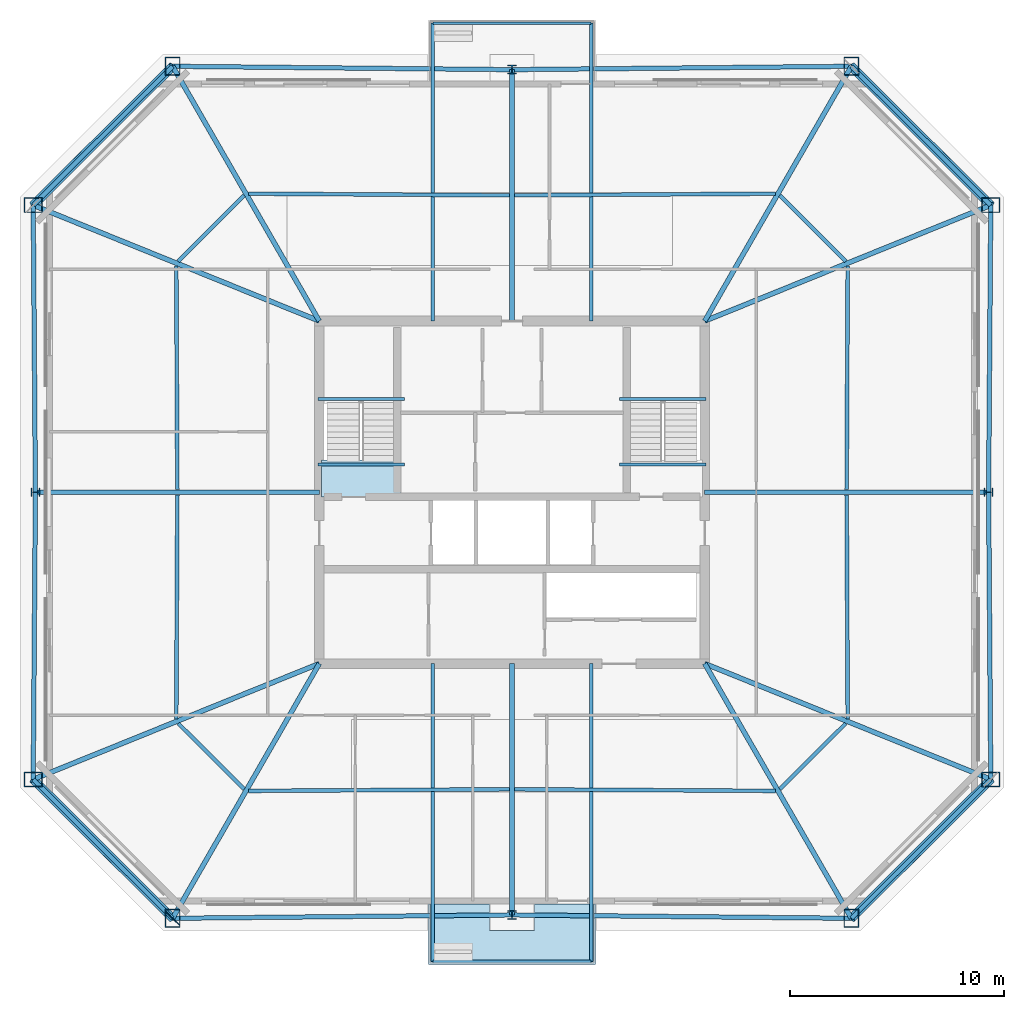
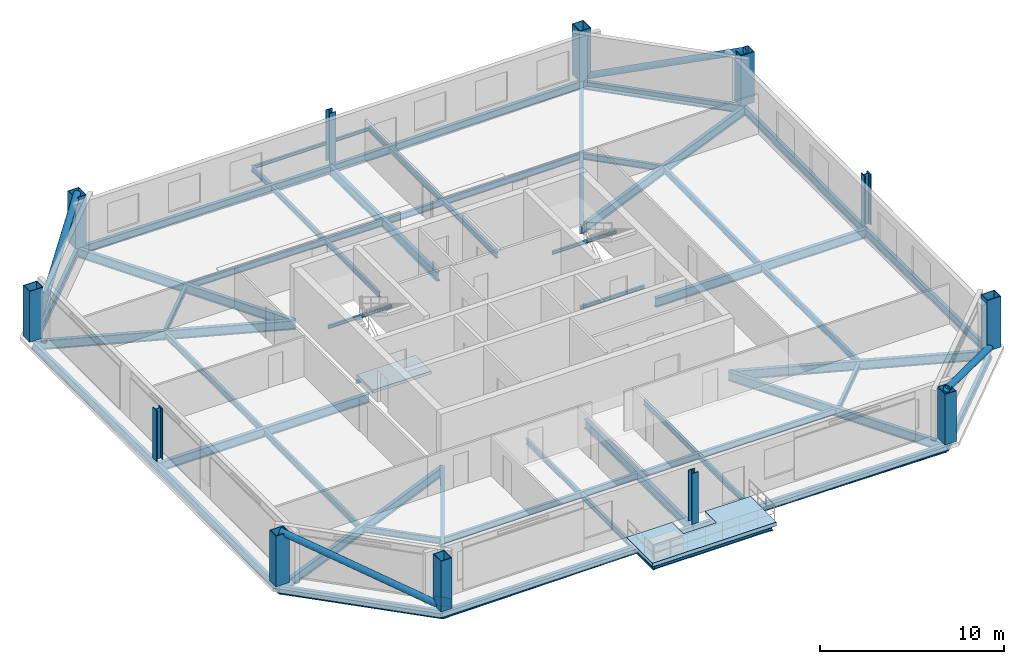
# One storey, part 1 of 7: 46 beams, 12 columns, 4 members, 2 slabs, 1 plate, 1 element without a shape of its own.
"""IFC4 building model written with IfcOpenShell, lengths in metres."""

from ifc_helpers import new_model, si_unit, direction, frame, origin, origin_2d, place, context, subcontext, project, spatial, polyline, rectangle, hollow_rectangle, hollow_circle, i_section, outline, extrude, material, layer, layer_set, material_profile, profile_set, type_object, element, aggregate, save


model = new_model("IFC4")

# Units and contexts
model_context = context("Model", 3, precision=1e-05, world=origin(), true_north=direction((0.0, 1.0)))
body_context = subcontext(model_context, "Body", "Model", "MODEL_VIEW")
ifc_project = project(units=[si_unit("LENGTHUNIT", "METRE"), si_unit("AREAUNIT", "SQUARE_METRE"), si_unit("VOLUMEUNIT", "CUBIC_METRE"), si_unit("PLANEANGLEUNIT", "RADIAN"), si_unit("MASSUNIT", "GRAM", prefix="KILO")], contexts=[model_context])

# Site, building, storey
site_placement = place(None, origin())
site = spatial("IfcSite", under=ifc_project, at=site_placement, CompositionType="ELEMENT")
building_placement = place(site_placement, origin())
building = spatial("IfcBuilding", under=site, at=building_placement, Name="Caelvoria Tower", CompositionType="ELEMENT")
storey_placement = place(building_placement, frame((0.0, 0.0, 187.800048828125)))
storey = spatial("IfcBuildingStorey", under=building, at=storey_placement, Name="L49", CompositionType="ELEMENT", Elevation=187.800048828125)

# Columns
ifc_material_1 = material(Name="Structural Steel ASTM A572 Gr.50", Category="steel")
ifc_material_profile_1 = material_profile(ifc_material_1, hollow_rectangle(XDim=0.699951171875, YDim=0.85009765625, WallThickness=0.0400390625, at=origin_2d()), Name="Structural Steel ASTM A572 Gr.50")
ifc_profile_set_1 = profile_set([ifc_material_profile_1], Name="BOX850X700X40 - Structural Steel ASTM A572 Gr.50")
column_type_1 = type_object("IfcColumnType", Name="Mega Box Column 850x700x40", PredefinedType="COLUMN", material=ifc_profile_set_1)
for number, where, z_axis, x_axis, name in (
    (1, (30.148681640625, 12.10302734375, 0.0), (0.0, 0.0, 1.0), (1.0, 0.0, 0.0), "Perimeter Megaframe Column L49-P00"),
    (2, (61.851318359375, 12.10302734375, 0.0), (0.0, 0.0, 1.0), (1.0, 0.0, 0.0), "Perimeter Megaframe Column L49-P02"),
    (3, (68.362548828125, 18.59033203125, 0.0), (0.0, 0.0, 1.0), (0.0, 1.0, 0.0), "Perimeter Megaframe Column L49-P03"),
    (4, (68.362548828125, 45.40966796875, 0.0), (0.0, 0.0, 1.0), (0.0, 1.0, 0.0), "Perimeter Megaframe Column L49-P05"),
    (5, (61.851318359375, 51.89697265625, 0.0), (0.0, 0.0, 1.0), (1.0, 0.0, 0.0), "Perimeter Megaframe Column L49-P06"),
    (6, (30.148681640625, 51.89697265625, 0.0), (0.0, 0.0, 1.0), (1.0, 0.0, 0.0), "Perimeter Megaframe Column L49-P08"),
    (7, (23.637451171875, 45.40966796875, 0.0), (0.0, 0.0, 1.0), (0.0, 1.0, 0.0), "Perimeter Megaframe Column L49-P09"),
    (8, (23.637451171875, 18.59033203125, 0.0), (0.0, 0.0, 1.0), (0.0, 1.0, 0.0), "Perimeter Megaframe Column L49-P11"),
):
    element("IfcColumn", number, at=place(storey_placement, frame(where, z_axis=z_axis, x_axis=x_axis)), inside=storey, type_object=column_type_1, Name=name, PredefinedType="COLUMN", context=body_context, shape_type="SweptSolid", body=[
        extrude(hollow_rectangle(XDim=0.699951171875, YDim=0.85009765625, WallThickness=0.0400390625, at=origin_2d()), origin(), (0.0, 0.0, 1.0), 3.373046875),
    ])
ifc_material_2 = material(Name="Structural Steel ASTM A992 Gr.50", Category="steel")
ifc_material_profile_2 = material_profile(ifc_material_2, i_section(OverallWidth=0.406005859375, OverallDepth=0.425048828125, WebThickness=0.03271484375, FlangeThickness=0.052490234375, FilletRadius=0.02490234375, at=origin_2d()), Name="Structural Steel ASTM A992 Gr.50")
ifc_profile_set_2 = profile_set([ifc_material_profile_2], Name="W360X421 - Structural Steel ASTM A992 Gr.50")
column_type_2 = type_object("IfcColumnType", Name="Mid Frame Column W360X421", PredefinedType="COLUMN", material=ifc_profile_set_2)
for number, where, z_axis, x_axis, name in (
    (9, (46.0, 12.260009765625, 0.0), (0.0, 0.0, 1.0), (1.0, 0.0, 0.0), "Perimeter Megaframe Column L49-P01"),
    (10, (68.260009765625, 32.0, 0.0), (0.0, 0.0, 1.0), (0.0, 1.0, 0.0), "Perimeter Megaframe Column L49-P04"),
    (11, (46.0, 51.739990234375, 0.0), (0.0, 0.0, 1.0), (1.0, 0.0, 0.0), "Perimeter Megaframe Column L49-P07"),
    (12, (23.739990234375, 32.0, 0.0), (0.0, 0.0, 1.0), (0.0, 1.0, 0.0), "Perimeter Megaframe Column L49-P10"),
):
    element("IfcColumn", number, at=place(storey_placement, frame(where, z_axis=z_axis, x_axis=x_axis)), inside=storey, type_object=column_type_2, Name=name, PredefinedType="COLUMN", context=body_context, shape_type="SweptSolid", body=[
        extrude(i_section(OverallWidth=0.406005859375, OverallDepth=0.425048828125, WebThickness=0.03271484375, FlangeThickness=0.052490234375, FilletRadius=0.02490234375, at=origin_2d()), origin(), (0.0, 0.0, 1.0), 3.373046875),
    ])

# Beams
ifc_material_profile_3 = material_profile(ifc_material_2, i_section(OverallWidth=0.134033203125, OverallDepth=0.2099609375, WebThickness=0.00634765625, FlangeThickness=0.01025390625, FilletRadius=0.010009765625, at=origin_2d()), Name="Structural Steel ASTM A992 Gr.50")
ifc_profile_set_3 = profile_set([ifc_material_profile_3], Name="W200X31.3 - Structural Steel ASTM A992 Gr.50")
beam_type_1 = type_object("IfcBeamType", Name="Canopy Edge Trim Beam W200X31.3", PredefinedType="BEAM", material=ifc_profile_set_3)
for number, where, z_axis, x_axis, name in (
    (13, (42.300048828125, 10.090087890625, -0.428955078125), (1.0, 0.0, 0.0), (0.0, 1.0, 0.0), "Tree Balcony Edge Beam TB-L49-S"),
    (14, (42.300048828125, 53.909912109375, -0.428955078125), (1.0, 0.0, 0.0), (0.0, 1.0, 0.0), "Tree Balcony Edge Beam TB-L49-N"),
):
    element("IfcBeam", number, at=place(storey_placement, frame(where, z_axis=z_axis, x_axis=x_axis)), inside=storey, type_object=beam_type_1, Name=name, PredefinedType="BEAM", context=body_context, shape_type="SweptSolid", body=[
        extrude(i_section(OverallWidth=0.134033203125, OverallDepth=0.2099609375, WebThickness=0.00634765625, FlangeThickness=0.01025390625, FilletRadius=0.010009765625, at=origin_2d()), origin(), (0.0, 0.0, 1.0), 7.39990234375),
    ])
for number, where, z_axis, x_axis, name in (
    (15, (36.929931640625, 36.35009765625, 1.494873046875), (1.0, 0.0, 0.0), (0.0, 1.0, 0.0), "ST-01 Half-Landing Support Beam L49"),
    (16, (36.929931640625, 33.300048828125, -0.304931640625), (1.0, 0.0, 0.0), (0.0, 1.0, 0.0), "ST-01 Floor-Landing Support Beam L49"),
    (17, (51.030029296875, 36.35009765625, 1.494873046875), (1.0, 0.0, 0.0), (0.0, 1.0, 0.0), "ST-02 Half-Landing Support Beam L49"),
    (18, (51.030029296875, 33.300048828125, -0.304931640625), (1.0, 0.0, 0.0), (0.0, 1.0, 0.0), "ST-02 Floor-Landing Support Beam L49"),
):
    element("IfcBeam", number, at=place(storey_placement, frame(where, z_axis=z_axis, x_axis=x_axis)), inside=storey, type_object=beam_type_1, Name=name, PredefinedType="BEAM", context=body_context, shape_type="SweptSolid", body=[
        extrude(i_section(OverallWidth=0.134033203125, OverallDepth=0.2099609375, WebThickness=0.00634765625, FlangeThickness=0.01025390625, FilletRadius=0.010009765625, at=origin_2d()), origin(), (0.0, 0.0, 1.0), 4.0400390625),
    ])
ifc_material_profile_4 = material_profile(ifc_material_2, i_section(OverallWidth=0.22802734375, OverallDepth=0.60302734375, WebThickness=0.010498046875, FlangeThickness=0.014892578125, FilletRadius=0.01806640625, at=origin_2d()), Name="Structural Steel ASTM A992 Gr.50")
ifc_profile_set_4 = profile_set([ifc_material_profile_4], Name="W610X101 - Structural Steel ASTM A992 Gr.50")
beam_type_2 = type_object("IfcBeamType", Name="Primary Floor Girder W610X101", PredefinedType="BEAM", material=ifc_profile_set_4)
beam_1_placement = place(storey_placement, frame((37.0, 24.0, -0.54150390625), z_axis=(-0.499049029046, -0.866573751396, 0.0), x_axis=(0.866573751396, -0.499049029046, 0.0)))
element("IfcBeam", 19, at=beam_1_placement, inside=storey, type_object=beam_type_2, Name="Primary Floor Girder L49-00", PredefinedType="BEAM", context=body_context, shape_type="SweptSolid", body=[
    extrude(i_section(OverallWidth=0.22802734375, OverallDepth=0.60302734375, WebThickness=0.010498046875, FlangeThickness=0.014892578125, FilletRadius=0.01806640625, at=origin_2d()), origin(), (0.0, 0.0, 1.0), 13.728759765625),
])
beam_2_placement = place(storey_placement, frame((46.0, 24.0, -0.54150390625), z_axis=(0.0, -1.0, 0.0), x_axis=(1.0, 0.0, 0.0)))
element("IfcBeam", 20, at=beam_2_placement, inside=storey, type_object=beam_type_2, Name="Primary Floor Girder L49-01", PredefinedType="BEAM", context=body_context, shape_type="SweptSolid", body=[
    extrude(i_section(OverallWidth=0.22802734375, OverallDepth=0.60302734375, WebThickness=0.010498046875, FlangeThickness=0.014892578125, FilletRadius=0.01806640625, at=origin_2d()), origin(), (0.0, 0.0, 1.0), 11.739990234375),
])
beam_3_placement = place(storey_placement, frame((55.0, 24.0, -0.54150390625), z_axis=(0.499049029046, -0.866573751396, 0.0), x_axis=(0.866573751396, 0.499049029046, 0.0)))
element("IfcBeam", 21, at=beam_3_placement, inside=storey, type_object=beam_type_2, Name="Primary Floor Girder L49-02", PredefinedType="BEAM", context=body_context, shape_type="SweptSolid", body=[
    extrude(i_section(OverallWidth=0.22802734375, OverallDepth=0.60302734375, WebThickness=0.010498046875, FlangeThickness=0.014892578125, FilletRadius=0.01806640625, at=origin_2d()), origin(), (0.0, 0.0, 1.0), 13.728759765625),
])
beam_4_placement = place(storey_placement, frame((55.0, 24.0, -0.54150390625), z_axis=(0.92692227025, -0.375253387613, 0.0), x_axis=(0.375253387613, 0.92692227025, 0.0)))
element("IfcBeam", 22, at=beam_4_placement, inside=storey, type_object=beam_type_2, Name="Primary Floor Girder L49-03", PredefinedType="BEAM", context=body_context, shape_type="SweptSolid", body=[
    extrude(i_section(OverallWidth=0.22802734375, OverallDepth=0.60302734375, WebThickness=0.010498046875, FlangeThickness=0.014892578125, FilletRadius=0.01806640625, at=origin_2d()), origin(), (0.0, 0.0, 1.0), 14.416015625),
])
beam_5_placement = place(storey_placement, frame((55.0, 32.0, -0.54150390625), z_axis=(1.0, 0.0, 0.0), x_axis=(0.0, 1.0, 0.0)))
element("IfcBeam", 23, at=beam_5_placement, inside=storey, type_object=beam_type_2, Name="Primary Floor Girder L49-04", PredefinedType="BEAM", context=body_context, shape_type="SweptSolid", body=[
    extrude(i_section(OverallWidth=0.22802734375, OverallDepth=0.60302734375, WebThickness=0.010498046875, FlangeThickness=0.014892578125, FilletRadius=0.01806640625, at=origin_2d()), origin(), (0.0, 0.0, 1.0), 13.260009765625),
])
beam_6_placement = place(storey_placement, frame((55.0, 40.0, -0.54150390625), z_axis=(0.92692227025, 0.375253387613, 0.0), x_axis=(-0.375253387613, 0.92692227025, 0.0)))
element("IfcBeam", 24, at=beam_6_placement, inside=storey, type_object=beam_type_2, Name="Primary Floor Girder L49-05", PredefinedType="BEAM", context=body_context, shape_type="SweptSolid", body=[
    extrude(i_section(OverallWidth=0.22802734375, OverallDepth=0.60302734375, WebThickness=0.010498046875, FlangeThickness=0.014892578125, FilletRadius=0.01806640625, at=origin_2d()), origin(), (0.0, 0.0, 1.0), 14.416015625),
])
beam_7_placement = place(storey_placement, frame((55.0, 40.0, -0.54150390625), z_axis=(0.499049029046, 0.866573751396, 0.0), x_axis=(-0.866573751396, 0.499049029046, 0.0)))
element("IfcBeam", 25, at=beam_7_placement, inside=storey, type_object=beam_type_2, Name="Primary Floor Girder L49-06", PredefinedType="BEAM", context=body_context, shape_type="SweptSolid", body=[
    extrude(i_section(OverallWidth=0.22802734375, OverallDepth=0.60302734375, WebThickness=0.010498046875, FlangeThickness=0.014892578125, FilletRadius=0.01806640625, at=origin_2d()), origin(), (0.0, 0.0, 1.0), 13.728759765625),
])
beam_8_placement = place(storey_placement, frame((46.0, 40.0, -0.54150390625), z_axis=(0.0, 1.0, 0.0), x_axis=(-1.0, 0.0, 0.0)))
element("IfcBeam", 26, at=beam_8_placement, inside=storey, type_object=beam_type_2, Name="Primary Floor Girder L49-07", PredefinedType="BEAM", context=body_context, shape_type="SweptSolid", body=[
    extrude(i_section(OverallWidth=0.22802734375, OverallDepth=0.60302734375, WebThickness=0.010498046875, FlangeThickness=0.014892578125, FilletRadius=0.01806640625, at=origin_2d()), origin(), (0.0, 0.0, 1.0), 11.739990234375),
])
beam_9_placement = place(storey_placement, frame((37.0, 40.0, -0.54150390625), z_axis=(-0.499049029046, 0.866573751396, 0.0), x_axis=(-0.866573751396, -0.499049029046, 0.0)))
element("IfcBeam", 27, at=beam_9_placement, inside=storey, type_object=beam_type_2, Name="Primary Floor Girder L49-08", PredefinedType="BEAM", context=body_context, shape_type="SweptSolid", body=[
    extrude(i_section(OverallWidth=0.22802734375, OverallDepth=0.60302734375, WebThickness=0.010498046875, FlangeThickness=0.014892578125, FilletRadius=0.01806640625, at=origin_2d()), origin(), (0.0, 0.0, 1.0), 13.728759765625),
])
beam_10_placement = place(storey_placement, frame((37.0, 40.0, -0.54150390625), z_axis=(-0.92692227025, 0.375253387613, 0.0), x_axis=(-0.375253387613, -0.92692227025, 0.0)))
element("IfcBeam", 28, at=beam_10_placement, inside=storey, type_object=beam_type_2, Name="Primary Floor Girder L49-09", PredefinedType="BEAM", context=body_context, shape_type="SweptSolid", body=[
    extrude(i_section(OverallWidth=0.22802734375, OverallDepth=0.60302734375, WebThickness=0.010498046875, FlangeThickness=0.014892578125, FilletRadius=0.01806640625, at=origin_2d()), origin(), (0.0, 0.0, 1.0), 14.416015625),
])
beam_11_placement = place(storey_placement, frame((37.0, 32.0, -0.54150390625), z_axis=(-1.0, 0.0, 0.0), x_axis=(0.0, -1.0, 0.0)))
element("IfcBeam", 29, at=beam_11_placement, inside=storey, type_object=beam_type_2, Name="Primary Floor Girder L49-10", PredefinedType="BEAM", context=body_context, shape_type="SweptSolid", body=[
    extrude(i_section(OverallWidth=0.22802734375, OverallDepth=0.60302734375, WebThickness=0.010498046875, FlangeThickness=0.014892578125, FilletRadius=0.01806640625, at=origin_2d()), origin(), (0.0, 0.0, 1.0), 13.260009765625),
])
beam_12_placement = place(storey_placement, frame((37.0, 24.0, -0.54150390625), z_axis=(-0.92692227025, -0.375253387613, 0.0), x_axis=(0.375253387613, -0.92692227025, 0.0)))
element("IfcBeam", 30, at=beam_12_placement, inside=storey, type_object=beam_type_2, Name="Primary Floor Girder L49-11", PredefinedType="BEAM", context=body_context, shape_type="SweptSolid", body=[
    extrude(i_section(OverallWidth=0.22802734375, OverallDepth=0.60302734375, WebThickness=0.010498046875, FlangeThickness=0.014892578125, FilletRadius=0.01806640625, at=origin_2d()), origin(), (0.0, 0.0, 1.0), 14.416015625),
])
ifc_material_profile_5 = material_profile(ifc_material_2, i_section(OverallWidth=0.177978515625, OverallDepth=0.406982421875, WebThickness=0.0078125, FlangeThickness=0.0126953125, FilletRadius=0.013916015625, at=origin_2d()), Name="Structural Steel ASTM A992 Gr.50")
ifc_profile_set_5 = profile_set([ifc_material_profile_5], Name="W410X60 - Structural Steel ASTM A992 Gr.50")
beam_type_3 = type_object("IfcBeamType", Name="Secondary Floor Beam W410X60", PredefinedType="BEAM", material=ifc_profile_set_5)
for number, where, z_axis, x_axis, name in (
    (31, (33.69921875, 18.05224609375, -0.443603515625), (0.999980053599, 0.006316043409, 0.0), (-0.006316043409, 0.999980053599, 0.0), "Secondary Floor Beam L49-00"),
    (32, (46.125, 18.129150390625, -0.443603515625), (0.999980053599, -0.006316043409, 0.0), (0.006316043409, 0.999980053599, 0.0), "Secondary Floor Beam L49-01"),
):
    element("IfcBeam", number, at=place(storey_placement, frame(where, z_axis=z_axis, x_axis=x_axis)), inside=storey, type_object=beam_type_3, Name=name, PredefinedType="BEAM", context=body_context, shape_type="SweptSolid", body=[
        extrude(i_section(OverallWidth=0.177978515625, OverallDepth=0.406982421875, WebThickness=0.0078125, FlangeThickness=0.0126953125, FilletRadius=0.013916015625, at=origin_2d()), origin(), (0.0, 0.0, 1.0), 12.176025390625),
    ])
beam_13_placement = place(storey_placement, frame((58.514404296875, 18.1396484375, -0.443603515625), z_axis=(0.708369794619, 0.705841507756, 0.0), x_axis=(-0.705841507756, 0.708369794619, 0.0)))
element("IfcBeam", 33, at=beam_13_placement, inside=storey, type_object=beam_type_3, Name="Secondary Floor Beam L49-02", PredefinedType="BEAM", context=body_context, shape_type="SweptSolid", body=[
    extrude(i_section(OverallWidth=0.177978515625, OverallDepth=0.406982421875, WebThickness=0.0078125, FlangeThickness=0.0126953125, FilletRadius=0.013916015625, at=origin_2d()), origin(), (0.0, 0.0, 1.0), 4.345458984375),
])
for number, where, z_axis, x_axis, name in (
    (34, (61.6806640625, 21.420166015625, -0.443603515625), (-0.004787092242, 0.999988541808, 0.0), (-0.999988541808, -0.004787092242, 0.0), "Secondary Floor Beam L49-03"),
    (35, (61.630615234375, 32.125, -0.443603515625), (0.004787092242, 0.999988541808, 0.0), (-0.999988541808, 0.004787092242, 0.0), "Secondary Floor Beam L49-04"),
):
    element("IfcBeam", number, at=place(storey_placement, frame(where, z_axis=z_axis, x_axis=x_axis)), inside=storey, type_object=beam_type_3, Name=name, PredefinedType="BEAM", context=body_context, shape_type="SweptSolid", body=[
        extrude(i_section(OverallWidth=0.177978515625, OverallDepth=0.406982421875, WebThickness=0.0078125, FlangeThickness=0.0126953125, FilletRadius=0.013916015625, at=origin_2d()), origin(), (0.0, 0.0, 1.0), 10.454833984375),
    ])
beam_14_placement = place(storey_placement, frame((61.592529296875, 42.793212890625, -0.443603515625), z_axis=(-0.708369794619, 0.705841507756, 0.0), x_axis=(-0.705841507756, -0.708369794619, 0.0)))
element("IfcBeam", 36, at=beam_14_placement, inside=storey, type_object=beam_type_3, Name="Secondary Floor Beam L49-05", PredefinedType="BEAM", context=body_context, shape_type="SweptSolid", body=[
    extrude(i_section(OverallWidth=0.177978515625, OverallDepth=0.406982421875, WebThickness=0.0078125, FlangeThickness=0.0126953125, FilletRadius=0.013916015625, at=origin_2d()), origin(), (0.0, 0.0, 1.0), 4.345458984375),
])
for number, where, z_axis, x_axis, name in (
    (37, (58.30078125, 45.94775390625, -0.443603515625), (-0.999980053599, -0.006316043409, 0.0), (0.006316043409, -0.999980053599, 0.0), "Secondary Floor Beam L49-06"),
    (38, (45.875, 45.870849609375, -0.443603515625), (-0.999980053599, 0.006316043409, 0.0), (-0.006316043409, -0.999980053599, 0.0), "Secondary Floor Beam L49-07"),
):
    element("IfcBeam", number, at=place(storey_placement, frame(where, z_axis=z_axis, x_axis=x_axis)), inside=storey, type_object=beam_type_3, Name=name, PredefinedType="BEAM", context=body_context, shape_type="SweptSolid", body=[
        extrude(i_section(OverallWidth=0.177978515625, OverallDepth=0.406982421875, WebThickness=0.0078125, FlangeThickness=0.0126953125, FilletRadius=0.013916015625, at=origin_2d()), origin(), (0.0, 0.0, 1.0), 12.176025390625),
    ])
beam_15_placement = place(storey_placement, frame((33.485595703125, 45.8603515625, -0.443603515625), z_axis=(-0.708369794619, -0.705841507756, 0.0), x_axis=(0.705841507756, -0.708369794619, 0.0)))
element("IfcBeam", 39, at=beam_15_placement, inside=storey, type_object=beam_type_3, Name="Secondary Floor Beam L49-08", PredefinedType="BEAM", context=body_context, shape_type="SweptSolid", body=[
    extrude(i_section(OverallWidth=0.177978515625, OverallDepth=0.406982421875, WebThickness=0.0078125, FlangeThickness=0.0126953125, FilletRadius=0.013916015625, at=origin_2d()), origin(), (0.0, 0.0, 1.0), 4.345458984375),
])
for number, where, z_axis, x_axis, name in (
    (40, (30.3193359375, 42.579833984375, -0.443603515625), (0.004787092242, -0.999988541808, 0.0), (0.999988541808, 0.004787092242, 0.0), "Secondary Floor Beam L49-09"),
    (41, (30.369384765625, 31.875, -0.443603515625), (-0.004787092242, -0.999988541808, 0.0), (0.999988541808, -0.004787092242, 0.0), "Secondary Floor Beam L49-10"),
):
    element("IfcBeam", number, at=place(storey_placement, frame(where, z_axis=z_axis, x_axis=x_axis)), inside=storey, type_object=beam_type_3, Name=name, PredefinedType="BEAM", context=body_context, shape_type="SweptSolid", body=[
        extrude(i_section(OverallWidth=0.177978515625, OverallDepth=0.406982421875, WebThickness=0.0078125, FlangeThickness=0.0126953125, FilletRadius=0.013916015625, at=origin_2d()), origin(), (0.0, 0.0, 1.0), 10.454833984375),
    ])
beam_16_placement = place(storey_placement, frame((30.407470703125, 21.206787109375, -0.443603515625), z_axis=(0.708369794619, -0.705841507756, 0.0), x_axis=(0.705841507756, 0.708369794619, 0.0)))
element("IfcBeam", 42, at=beam_16_placement, inside=storey, type_object=beam_type_3, Name="Secondary Floor Beam L49-11", PredefinedType="BEAM", context=body_context, shape_type="SweptSolid", body=[
    extrude(i_section(OverallWidth=0.177978515625, OverallDepth=0.406982421875, WebThickness=0.0078125, FlangeThickness=0.0126953125, FilletRadius=0.013916015625, at=origin_2d()), origin(), (0.0, 0.0, 1.0), 4.345458984375),
])
ifc_material_profile_6 = material_profile(ifc_material_2, i_section(OverallWidth=0.1708984375, OverallDepth=0.35498046875, WebThickness=0.007080078125, FlangeThickness=0.01171875, FilletRadius=0.012939453125, at=origin_2d()), Name="Structural Steel ASTM A992 Gr.50")
ifc_profile_set_6 = profile_set([ifc_material_profile_6], Name="W360X51 - Structural Steel ASTM A992 Gr.50")
beam_type_4 = type_object("IfcBeamType", Name="Tree Balcony Cantilever Beam W360X51", PredefinedType="BEAM", material=ifc_profile_set_6)
for number, where, z_axis, x_axis, name in (
    (43, (42.300048828125, 24.0, -0.428955078125), (0.0, -1.0, 0.0), (1.0, 0.0, 0.0), "Tree Balcony Cantilever Beam TB-L49-S L"),
    (44, (49.699951171875, 24.0, -0.428955078125), (0.0, -1.0, 0.0), (1.0, 0.0, 0.0), "Tree Balcony Cantilever Beam TB-L49-S R"),
    (45, (42.300048828125, 40.0, -0.428955078125), (0.0, 1.0, 0.0), (-1.0, 0.0, 0.0), "Tree Balcony Cantilever Beam TB-L49-N L"),
    (46, (49.699951171875, 40.0, -0.428955078125), (0.0, 1.0, 0.0), (-1.0, 0.0, 0.0), "Tree Balcony Cantilever Beam TB-L49-N R"),
):
    element("IfcBeam", number, at=place(storey_placement, frame(where, z_axis=z_axis, x_axis=x_axis)), inside=storey, type_object=beam_type_4, Name=name, PredefinedType="BEAM", context=body_context, shape_type="SweptSolid", body=[
        extrude(i_section(OverallWidth=0.1708984375, OverallDepth=0.35498046875, WebThickness=0.007080078125, FlangeThickness=0.01171875, FilletRadius=0.012939453125, at=origin_2d()), origin(), (0.0, 0.0, 1.0), 13.909912109375),
    ])

# Members
ifc_material_profile_7 = material_profile(ifc_material_1, hollow_circle(Radius=0.202880859375, WallThickness=0.01611328125, at=origin_2d()), Name="Structural Steel ASTM A572 Gr.50")
ifc_profile_set_7 = profile_set([ifc_material_profile_7], Name="CHS406X16 - Structural Steel ASTM A572 Gr.50")
member_type = type_object("IfcMemberType", Name="Upper Perimeter Mega Brace CHS406X16", PredefinedType="BRACE", material=ifc_profile_set_7)
for number, where, z_axis, x_axis, name in (
    (47, (68.362548828125, 18.59033203125, 0.0), (-0.664993606761, -0.662550060699, 0.344689599545), (0.705804047962, -0.708407118739, 0.0), "Perimeter Chamfer Mega Brace L49 SE"),
    (48, (61.851318359375, 51.89697265625, 0.0), (0.664993606761, -0.662550060699, 0.344689599545), (0.705804047962, 0.708407118739, 0.0), "Perimeter Chamfer Mega Brace L49 NE"),
    (49, (23.637451171875, 45.40966796875, 0.0), (0.664993606761, 0.662550060699, 0.344689599545), (-0.705804047962, 0.708407118739, 0.0), "Perimeter Chamfer Mega Brace L49 NW"),
    (50, (30.148681640625, 12.10302734375, 0.0), (-0.664993606761, 0.662550060699, 0.344689599545), (-0.705804047962, -0.708407118739, 0.0), "Perimeter Chamfer Mega Brace L49 SW"),
):
    element("IfcMember", number, at=place(storey_placement, frame(where, z_axis=z_axis, x_axis=x_axis)), inside=storey, type_object=member_type, Name=name, PredefinedType="BRACE", context=body_context, shape_type="SweptSolid", body=[
        extrude(hollow_circle(Radius=0.202880859375, WallThickness=0.01611328125, at=origin_2d()), origin(), (0.0, 0.0, 1.0), 9.79150390625),
    ])

# Beams
ifc_material_profile_8 = material_profile(ifc_material_2, i_section(OverallWidth=0.208984375, OverallDepth=0.532958984375, WebThickness=0.01025390625, FlangeThickness=0.015625, FilletRadius=0.01611328125, at=origin_2d()), Name="Structural Steel ASTM A992 Gr.50")
ifc_profile_set_8 = profile_set([ifc_material_profile_8], Name="W530X92 - Structural Steel ASTM A992 Gr.50")
beam_type_5 = type_object("IfcBeamType", Name="Upper Zone Spandrel W530X92", PredefinedType="BEAM", material=ifc_profile_set_8)
for number, where, z_axis, x_axis, name in (
    (51, (30.148681640625, 12.10302734375, -0.506591796875), (0.999950964644, 0.009902944388, 0.0), (-0.009902944388, 0.999950964644, 0.0), "Perimeter Spandrel Girder L49-00"),
    (52, (46.0, 12.260009765625, -0.506591796875), (0.999950964644, -0.009902944388, 0.0), (0.009902944388, 0.999950964644, 0.0), "Perimeter Spandrel Girder L49-01"),
):
    element("IfcBeam", number, at=place(storey_placement, frame(where, z_axis=z_axis, x_axis=x_axis)), inside=storey, type_object=beam_type_5, Name=name, PredefinedType="BEAM", context=body_context, shape_type="SweptSolid", body=[
        extrude(i_section(OverallWidth=0.208984375, OverallDepth=0.532958984375, WebThickness=0.01025390625, FlangeThickness=0.015625, FilletRadius=0.01611328125, at=origin_2d()), origin(), (0.0, 0.0, 1.0), 15.85205078125),
    ])
beam_17_placement = place(storey_placement, frame((61.851318359375, 12.10302734375, -0.506591796875), z_axis=(0.708407118739, 0.705804047962, 0.0), x_axis=(-0.705804047962, 0.708407118739, 0.0)))
element("IfcBeam", 53, at=beam_17_placement, inside=storey, type_object=beam_type_5, Name="Perimeter Spandrel Girder L49-02", PredefinedType="BEAM", context=body_context, shape_type="SweptSolid", body=[
    extrude(i_section(OverallWidth=0.208984375, OverallDepth=0.532958984375, WebThickness=0.01025390625, FlangeThickness=0.015625, FilletRadius=0.01611328125, at=origin_2d()), origin(), (0.0, 0.0, 1.0), 9.19140625),
])
for number, where, z_axis, x_axis, name in (
    (54, (68.362548828125, 18.59033203125, -0.506591796875), (-0.007646428314, 0.99997076564, 0.0), (-0.99997076564, -0.007646428314, 0.0), "Perimeter Spandrel Girder L49-03"),
    (55, (68.260009765625, 32.0, -0.506591796875), (0.007646428314, 0.99997076564, 0.0), (-0.99997076564, 0.007646428314, 0.0), "Perimeter Spandrel Girder L49-04"),
):
    element("IfcBeam", number, at=place(storey_placement, frame(where, z_axis=z_axis, x_axis=x_axis)), inside=storey, type_object=beam_type_5, Name=name, PredefinedType="BEAM", context=body_context, shape_type="SweptSolid", body=[
        extrude(i_section(OverallWidth=0.208984375, OverallDepth=0.532958984375, WebThickness=0.01025390625, FlangeThickness=0.015625, FilletRadius=0.01611328125, at=origin_2d()), origin(), (0.0, 0.0, 1.0), 13.41015625),
    ])
beam_18_placement = place(storey_placement, frame((68.362548828125, 45.40966796875, -0.506591796875), z_axis=(-0.708407118739, 0.705804047962, 0.0), x_axis=(-0.705804047962, -0.708407118739, 0.0)))
element("IfcBeam", 56, at=beam_18_placement, inside=storey, type_object=beam_type_5, Name="Perimeter Spandrel Girder L49-05", PredefinedType="BEAM", context=body_context, shape_type="SweptSolid", body=[
    extrude(i_section(OverallWidth=0.208984375, OverallDepth=0.532958984375, WebThickness=0.01025390625, FlangeThickness=0.015625, FilletRadius=0.01611328125, at=origin_2d()), origin(), (0.0, 0.0, 1.0), 9.19140625),
])
for number, where, z_axis, x_axis, name in (
    (57, (61.851318359375, 51.89697265625, -0.506591796875), (-0.999950964644, -0.009902944388, 0.0), (0.009902944388, -0.999950964644, 0.0), "Perimeter Spandrel Girder L49-06"),
    (58, (46.0, 51.739990234375, -0.506591796875), (-0.999950964644, 0.009902944388, 0.0), (-0.009902944388, -0.999950964644, 0.0), "Perimeter Spandrel Girder L49-07"),
):
    element("IfcBeam", number, at=place(storey_placement, frame(where, z_axis=z_axis, x_axis=x_axis)), inside=storey, type_object=beam_type_5, Name=name, PredefinedType="BEAM", context=body_context, shape_type="SweptSolid", body=[
        extrude(i_section(OverallWidth=0.208984375, OverallDepth=0.532958984375, WebThickness=0.01025390625, FlangeThickness=0.015625, FilletRadius=0.01611328125, at=origin_2d()), origin(), (0.0, 0.0, 1.0), 15.85205078125),
    ])
beam_19_placement = place(storey_placement, frame((30.148681640625, 51.89697265625, -0.506591796875), z_axis=(-0.708407118739, -0.705804047962, 0.0), x_axis=(0.705804047962, -0.708407118739, 0.0)))
element("IfcBeam", 59, at=beam_19_placement, inside=storey, type_object=beam_type_5, Name="Perimeter Spandrel Girder L49-08", PredefinedType="BEAM", context=body_context, shape_type="SweptSolid", body=[
    extrude(i_section(OverallWidth=0.208984375, OverallDepth=0.532958984375, WebThickness=0.01025390625, FlangeThickness=0.015625, FilletRadius=0.01611328125, at=origin_2d()), origin(), (0.0, 0.0, 1.0), 9.19140625),
])
for number, where, z_axis, x_axis, name in (
    (60, (23.637451171875, 45.40966796875, -0.506591796875), (0.007646428314, -0.99997076564, 0.0), (0.99997076564, 0.007646428314, 0.0), "Perimeter Spandrel Girder L49-09"),
    (61, (23.739990234375, 32.0, -0.506591796875), (-0.007646428314, -0.99997076564, 0.0), (0.99997076564, -0.007646428314, 0.0), "Perimeter Spandrel Girder L49-10"),
):
    element("IfcBeam", number, at=place(storey_placement, frame(where, z_axis=z_axis, x_axis=x_axis)), inside=storey, type_object=beam_type_5, Name=name, PredefinedType="BEAM", context=body_context, shape_type="SweptSolid", body=[
        extrude(i_section(OverallWidth=0.208984375, OverallDepth=0.532958984375, WebThickness=0.01025390625, FlangeThickness=0.015625, FilletRadius=0.01611328125, at=origin_2d()), origin(), (0.0, 0.0, 1.0), 13.41015625),
    ])
beam_20_placement = place(storey_placement, frame((23.637451171875, 18.59033203125, -0.506591796875), z_axis=(0.708407118739, -0.705804047962, 0.0), x_axis=(0.705804047962, 0.708407118739, 0.0)))
element("IfcBeam", 62, at=beam_20_placement, inside=storey, type_object=beam_type_5, Name="Perimeter Spandrel Girder L49-11", PredefinedType="BEAM", context=body_context, shape_type="SweptSolid", body=[
    extrude(i_section(OverallWidth=0.208984375, OverallDepth=0.532958984375, WebThickness=0.01025390625, FlangeThickness=0.015625, FilletRadius=0.01611328125, at=origin_2d()), origin(), (0.0, 0.0, 1.0), 9.19140625),
])

# Plate
ifc_layer_1 = layer(ifc_material_1, 0.0400390625, Name="Structural Steel ASTM A572 Gr.50")
ifc_layer_set_1 = layer_set([ifc_layer_1], Name="Megaframe Node Gusset Plate 900x600x40 - Structural Steel ASTM A572 Gr.50")
plate_type = type_object("IfcPlateType", Name="Megaframe Node Gusset Plate 900x600x40", PredefinedType="USERDEFINED", material=ifc_layer_set_1)
plate_placement = place(storey_placement, frame((30.148681640625, 12.10302734375, 0.02001953125), z_axis=(0.0, 0.0, 1.0), x_axis=(-0.708405129544, 0.705806044488, 0.0)))
element("IfcPlate", 63, at=plate_placement, inside=storey, type_object=plate_type, Name="Chamfer Mega Brace Gusset L49 SW", ObjectType="GUSSET_PLATE", PredefinedType="USERDEFINED", context=body_context, shape_type="SweptSolid", body=[
    extrude(rectangle(XDim=0.89990234375, YDim=0.0400390625, at=origin_2d()), origin(), (0.0, 0.0, 1.0), 0.60009765625),
])

# Stair, slab
ifc_material_3 = material(Name="Concrete C40/50", Category="concrete")
stair_type = type_object("IfcStairType", Name="Core Smokeproof Dogleg Stair Concrete C40/50", PredefinedType="HALF_TURN_STAIR", material=ifc_material_3)
stair_placement = place(storey_placement, origin())
stair = element("IfcStair", 64, at=stair_placement, inside=storey, type_object=stair_type, Name="ST-01 Smokeproof Exit Stair L49", PredefinedType="HALF_TURN_STAIR")
ifc_layer_2 = layer(ifc_material_3, 0.199951171875, Name="Concrete C40/50")
ifc_layer_set_2 = layer_set([ifc_layer_2], Name="Stair Half and Floor Landing Slab 200 Concrete C40/50 - Concrete C40/50")
slab_type_1 = type_object("IfcSlabType", Name="Stair Half and Floor Landing Slab 200 Concrete C40/50", PredefinedType="LANDING", material=ifc_layer_set_2)
slab_1_placement = place(storey_placement, frame((0.0, 0.0, -0.199951171875)))
slab_1 = element("IfcSlab", 65, at=slab_1_placement, type_object=slab_type_1, Name="ST-01 landing 1", PredefinedType="LANDING", context=body_context, shape_type="SweptSolid", body=[
    extrude(outline(polyline([(37.10009765625, 31.77001953125), (40.800048828125, 31.77001953125), (40.800048828125, 33.5), (37.10009765625, 33.5), (37.10009765625, 31.77001953125)])), origin(), (0.0, 0.0, 1.0), 0.199951171875),
])
aggregate(stair, [slab_1])

# Slab
ifc_material_4 = material(Name="Concrete C45/55", Category="concrete")
ifc_layer_3 = layer(ifc_material_4, 0.25, Name="Concrete C45/55")
ifc_layer_set_3 = layer_set([ifc_layer_3], Name="Tree Balcony Structural Planter Slab 250 - Concrete C45/55")
slab_type_2 = type_object("IfcSlabType", Name="Tree Balcony Structural Planter Slab 250", PredefinedType="FLOOR", material=ifc_layer_set_3)
slab_2_placement = place(storey_placement, frame((0.0, 0.0, -0.25)))
element("IfcSlab", 66, at=slab_2_placement, inside=storey, type_object=slab_type_2, Name="Tree Balcony Slab TB-L49-S", PredefinedType="FLOOR", context=body_context, shape_type="SweptSolid", body=[
    extrude(outline(polyline([(49.89990234375, 11.5400390625), (49.89990234375, 12.780029296875), (47.0400390625, 12.780029296875), (47.0400390625, 11.5400390625), (44.9599609375, 11.5400390625), (44.9599609375, 12.780029296875), (42.10009765625, 12.780029296875), (42.10009765625, 11.5400390625), (42.10009765625, 9.93994140625), (49.89990234375, 9.93994140625), (49.89990234375, 11.5400390625)])), origin(), (0.0, 0.0, 1.0), 0.25),
])

save(model, "model.ifc")
